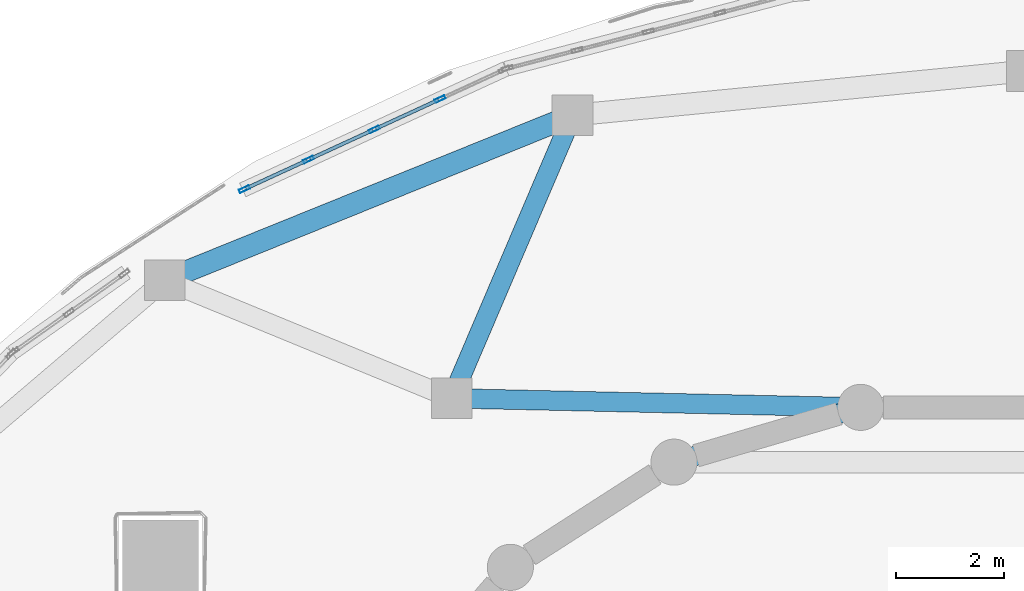
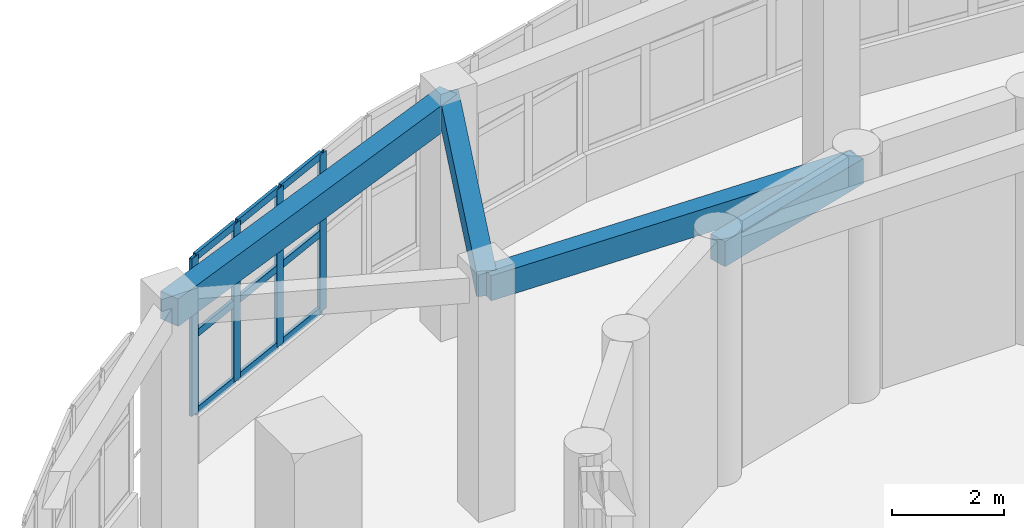
# One storey, part 45 of 96: 13 members, 4 beams, 1 element without a shape of its own.
"""IFC4 building model written with IfcOpenShell, lengths in metres."""

from ifc_helpers import new_model, si_unit, direction, frame, origin, origin_2d, place, context, subcontext, project, spatial, rectangle, hollow_rectangle, extrude, material, layer, layer_set, material_profile, profile_set, type_object, element, aggregate, save


model = new_model("IFC4")

# Units and contexts
model_context = context("Model", 3, precision=1e-05, world=origin(), true_north=direction((0.0, 1.0)))
body_context = subcontext(model_context, "Body", "Model", "MODEL_VIEW")
ifc_project = project(units=[si_unit("LENGTHUNIT", "METRE"), si_unit("AREAUNIT", "SQUARE_METRE"), si_unit("VOLUMEUNIT", "CUBIC_METRE"), si_unit("PLANEANGLEUNIT", "RADIAN"), si_unit("MASSUNIT", "GRAM", prefix="KILO")], contexts=[model_context])

# Site, building, storey
site_placement = place(None, origin())
site = spatial("IfcSite", under=ifc_project, at=site_placement, CompositionType="ELEMENT")
building_placement = place(site_placement, origin())
building = spatial("IfcBuilding", under=site, at=building_placement, Name="Pelvatis Terrace Science Centre", CompositionType="ELEMENT")
storey_placement = place(building_placement, origin())
storey = spatial("IfcBuildingStorey", under=building, at=storey_placement, Name="L00", CompositionType="ELEMENT", Elevation=0.0)

# Beams
ifc_material_1 = material(Name="Concrete C35/45", Category="concrete")
ifc_material_profile_1 = material_profile(ifc_material_1, rectangle(XDim=0.360107421875, YDim=0.550048828125, at=origin_2d()), Name="RC-BM 360x550")
ifc_profile_set_1 = profile_set([ifc_material_profile_1], Name="Concrete C35/45")
beam_type_1 = type_object("IfcBeamType", Name="BM-RC-360x550", PredefinedType="BEAM", material=ifc_profile_set_1)
beam_1_placement = place(storey_placement, frame((107.40673828125, 98.271728515625, 4.864990234375), z_axis=(-0.959499815423, -0.281709254734, 0.0), x_axis=(0.281709254734, -0.959499815423, 0.0)))
element("IfcBeam", 1, at=beam_1_placement, inside=storey, type_object=beam_type_1, Name="Beam BM-L00-2181", PredefinedType="BEAM", context=body_context, shape_type="SweptSolid", body=[
    extrude(rectangle(XDim=0.360107421875, YDim=0.550048828125, at=origin_2d()), origin(), (0.0, 0.0, 1.0), 3.586181640625),
])
beam_2_placement = place(storey_placement, frame((107.40673828125, 98.271728515625, 4.864990234375), z_axis=(-0.999756283601, 0.022076535063, 0.0), x_axis=(-0.022076535063, -0.999756283601, 0.0)))
element("IfcBeam", 2, at=beam_2_placement, inside=storey, type_object=beam_type_1, Name="Beam BM-L00-2182", PredefinedType="BEAM", context=body_context, shape_type="SweptSolid", body=[
    extrude(rectangle(XDim=0.360107421875, YDim=0.550048828125, at=origin_2d()), origin(), (0.0, 0.0, 1.0), 7.542236328125),
])
beam_3_placement = place(storey_placement, frame((102.095458984375, 103.65673828125, 4.864990234375), z_axis=(-0.392802627851, -0.919622800692, 0.0), x_axis=(0.919622800692, -0.392802627851, 0.0)))
element("IfcBeam", 3, at=beam_3_placement, inside=storey, type_object=beam_type_1, Name="Beam BM-L00-2269", PredefinedType="BEAM", context=body_context, shape_type="SweptSolid", body=[
    extrude(rectangle(XDim=0.360107421875, YDim=0.550048828125, at=origin_2d()), origin(), (0.0, 0.0, 1.0), 5.674560546875),
])
ifc_material_2 = material(Name="Concrete C35/45", Category="concrete")
ifc_material_profile_2 = material_profile(ifc_material_2, rectangle(XDim=0.39990234375, YDim=0.60009765625, at=origin_2d()), Name="RC-BM 400x600")
ifc_profile_set_2 = profile_set([ifc_material_profile_2], Name="Concrete C35/45")
beam_type_2 = type_object("IfcBeamType", Name="BM-RC-400x600", PredefinedType="BEAM", material=ifc_profile_set_2)
beam_4_placement = place(storey_placement, frame((102.095458984375, 103.65673828125, 4.840087890625), z_axis=(-0.926974722929, -0.375123796967, 0.0), x_axis=(0.375123796967, -0.926974722929, 0.0)))
element("IfcBeam", 4, at=beam_4_placement, inside=storey, type_object=beam_type_2, Name="Beam BM-L00-2268", PredefinedType="BEAM", context=body_context, shape_type="SweptSolid", body=[
    extrude(rectangle(XDim=0.39990234375, YDim=0.60009765625, at=origin_2d()), origin(), (0.0, 0.0, 1.0), 8.11181640625),
])

# Curtain wall, members
ifc_material_3 = material(Name="Bronze-anodised aluminium and laminated glass", Category="aluminium")
ifc_layer = layer(ifc_material_3, 0.199951171875)
ifc_layer_set = layer_set([ifc_layer], Name="Bronze-anodised aluminium and laminated glass")
curtain_wall_type = type_object("IfcCurtainWallType", Name="CW-RIBBON-B", PredefinedType="NOTDEFINED", material=ifc_layer_set)
curtain_wall_placement = place(storey_placement, origin())
curtain_wall = element("IfcCurtainWall", 5, at=curtain_wall_placement, inside=storey, type_object=curtain_wall_type, Name="Ribbon curtain wall CW-110 (L00)", PredefinedType="NOTDEFINED")
ifc_material_4 = material(Name="Bronze-anodised aluminium 6063-T6", Category="aluminium")
ifc_material_profile_3 = material_profile(ifc_material_4, hollow_rectangle(XDim=0.06494140625, YDim=0.199951171875, WallThickness=0.00439453125, at=origin_2d()), Name="ALU-MUL 65x200")
ifc_profile_set_3 = profile_set([ifc_material_profile_3], Name="Bronze-anodised aluminium 6063-T6")
member_type_1 = type_object("IfcMemberType", Name="CWM-65x200", PredefinedType="MULLION", material=ifc_profile_set_3)
member_1_placement = place(storey_placement, frame((99.6533203125, 103.953857421875, 1.02001953125), z_axis=(0.0, 0.0, 1.0), x_axis=(0.41805650264, -0.908421026067, 0.0)))
member_1 = element("IfcMember", 6, at=member_1_placement, type_object=member_type_1, Name="CW-110 mullion 2", PredefinedType="MULLION", context=body_context, shape_type="SweptSolid", body=[
    extrude(hollow_rectangle(XDim=0.06494140625, YDim=0.199951171875, WallThickness=0.00439453125, at=origin_2d()), origin(), (0.0, 0.0, 1.0), 3.43994140625),
])
member_2_placement = place(storey_placement, frame((98.44091796875, 103.395751953125, 1.02001953125), z_axis=(0.0, 0.0, 1.0), x_axis=(0.41805650264, -0.908421026067, 0.0)))
member_2 = element("IfcMember", 7, at=member_2_placement, type_object=member_type_1, Name="CW-110 mullion 3", PredefinedType="MULLION", context=body_context, shape_type="SweptSolid", body=[
    extrude(hollow_rectangle(XDim=0.06494140625, YDim=0.199951171875, WallThickness=0.00439453125, at=origin_2d()), origin(), (0.0, 0.0, 1.0), 3.43994140625),
])
member_3_placement = place(storey_placement, frame((97.228759765625, 102.837890625, 1.02001953125), z_axis=(0.0, 0.0, 1.0), x_axis=(0.41805650264, -0.908421026067, 0.0)))
member_3 = element("IfcMember", 8, at=member_3_placement, type_object=member_type_1, Name="CW-110 mullion 4", PredefinedType="MULLION", context=body_context, shape_type="SweptSolid", body=[
    extrude(hollow_rectangle(XDim=0.06494140625, YDim=0.199951171875, WallThickness=0.00439453125, at=origin_2d()), origin(), (0.0, 0.0, 1.0), 3.43994140625),
])
member_4_placement = place(storey_placement, frame((96.0458984375, 102.293701171875, 1.02001953125), z_axis=(0.0, 0.0, 1.0), x_axis=(0.41805650264, -0.908421026067, 0.0)))
member_4 = element("IfcMember", 9, at=member_4_placement, type_object=member_type_1, Name="CW-110 mullion 5", PredefinedType="MULLION", context=body_context, shape_type="SweptSolid", body=[
    extrude(hollow_rectangle(XDim=0.06494140625, YDim=0.199951171875, WallThickness=0.00439453125, at=origin_2d()), origin(), (0.0, 0.0, 1.0), 3.43994140625),
])
ifc_material_5 = material(Name="Bronze-anodised aluminium 6063-T6", Category="aluminium")
ifc_material_profile_4 = material_profile(ifc_material_5, hollow_rectangle(XDim=0.06494140625, YDim=0.159912109375, WallThickness=0.00390625, at=origin_2d()), Name="ALU-TRN 65x160")
ifc_profile_set_4 = profile_set([ifc_material_profile_4], Name="Bronze-anodised aluminium 6063-T6")
member_type_2 = type_object("IfcMemberType", Name="CWT-65x160", PredefinedType="USERDEFINED", material=ifc_profile_set_4)
member_5_placement = place(storey_placement, frame((99.623779296875, 103.940185546875, 1.052490234375), z_axis=(-0.908420351401, -0.418057968659, 0.0), x_axis=(0.418057968659, -0.908420351401, 0.0)))
member_5 = element("IfcMember", 10, at=member_5_placement, type_object=member_type_2, Name="CW-110 transom 2.1", ObjectType="TRANSOM", PredefinedType="USERDEFINED", context=body_context, shape_type="SweptSolid", body=[
    extrude(hollow_rectangle(XDim=0.06494140625, YDim=0.159912109375, WallThickness=0.00390625, at=origin_2d()), origin(), (0.0, 0.0, 1.0), 1.26953125),
])
member_6_placement = place(storey_placement, frame((99.623779296875, 103.940185546875, 2.739990234375), z_axis=(-0.908420351401, -0.418057968659, 0.0), x_axis=(0.418057968659, -0.908420351401, 0.0)))
member_6 = element("IfcMember", 11, at=member_6_placement, type_object=member_type_2, Name="CW-110 transom 2.2", ObjectType="TRANSOM", PredefinedType="USERDEFINED", context=body_context, shape_type="SweptSolid", body=[
    extrude(hollow_rectangle(XDim=0.06494140625, YDim=0.159912109375, WallThickness=0.00390625, at=origin_2d()), origin(), (0.0, 0.0, 1.0), 1.26953125),
])
member_7_placement = place(storey_placement, frame((99.623779296875, 103.940185546875, 4.427490234375), z_axis=(-0.908420351401, -0.418057968659, 0.0), x_axis=(0.418057968659, -0.908420351401, 0.0)))
member_7 = element("IfcMember", 12, at=member_7_placement, type_object=member_type_2, Name="CW-110 transom 2.3", ObjectType="TRANSOM", PredefinedType="USERDEFINED", context=body_context, shape_type="SweptSolid", body=[
    extrude(hollow_rectangle(XDim=0.06494140625, YDim=0.159912109375, WallThickness=0.00390625, at=origin_2d()), origin(), (0.0, 0.0, 1.0), 1.26953125),
])
member_8_placement = place(storey_placement, frame((98.411376953125, 103.38232421875, 1.052490234375), z_axis=(-0.908420351401, -0.418057968659, 0.0), x_axis=(0.418057968659, -0.908420351401, 0.0)))
member_8 = element("IfcMember", 13, at=member_8_placement, type_object=member_type_2, Name="CW-110 transom 3.1", ObjectType="TRANSOM", PredefinedType="USERDEFINED", context=body_context, shape_type="SweptSolid", body=[
    extrude(hollow_rectangle(XDim=0.06494140625, YDim=0.159912109375, WallThickness=0.00390625, at=origin_2d()), origin(), (0.0, 0.0, 1.0), 1.26953125),
])
member_9_placement = place(storey_placement, frame((98.411376953125, 103.38232421875, 2.739990234375), z_axis=(-0.908420351401, -0.418057968659, 0.0), x_axis=(0.418057968659, -0.908420351401, 0.0)))
member_9 = element("IfcMember", 14, at=member_9_placement, type_object=member_type_2, Name="CW-110 transom 3.2", ObjectType="TRANSOM", PredefinedType="USERDEFINED", context=body_context, shape_type="SweptSolid", body=[
    extrude(hollow_rectangle(XDim=0.06494140625, YDim=0.159912109375, WallThickness=0.00390625, at=origin_2d()), origin(), (0.0, 0.0, 1.0), 1.26953125),
])
member_10_placement = place(storey_placement, frame((98.411376953125, 103.38232421875, 4.427490234375), z_axis=(-0.908420351401, -0.418057968659, 0.0), x_axis=(0.418057968659, -0.908420351401, 0.0)))
member_10 = element("IfcMember", 15, at=member_10_placement, type_object=member_type_2, Name="CW-110 transom 3.3", ObjectType="TRANSOM", PredefinedType="USERDEFINED", context=body_context, shape_type="SweptSolid", body=[
    extrude(hollow_rectangle(XDim=0.06494140625, YDim=0.159912109375, WallThickness=0.00390625, at=origin_2d()), origin(), (0.0, 0.0, 1.0), 1.26953125),
])
member_11_placement = place(storey_placement, frame((97.19921875, 102.82421875, 1.052490234375), z_axis=(-0.908443990463, -0.418006598262, 0.0), x_axis=(0.418006598262, -0.908443990463, 0.0)))
member_11 = element("IfcMember", 16, at=member_11_placement, type_object=member_type_2, Name="CW-110 transom 4.1", ObjectType="TRANSOM", PredefinedType="USERDEFINED", context=body_context, shape_type="SweptSolid", body=[
    extrude(hollow_rectangle(XDim=0.06494140625, YDim=0.159912109375, WallThickness=0.00390625, at=origin_2d()), origin(), (0.0, 0.0, 1.0), 1.237060546875),
])
member_12_placement = place(storey_placement, frame((97.19921875, 102.82421875, 2.739990234375), z_axis=(-0.908443990463, -0.418006598262, 0.0), x_axis=(0.418006598262, -0.908443990463, 0.0)))
member_12 = element("IfcMember", 17, at=member_12_placement, type_object=member_type_2, Name="CW-110 transom 4.2", ObjectType="TRANSOM", PredefinedType="USERDEFINED", context=body_context, shape_type="SweptSolid", body=[
    extrude(hollow_rectangle(XDim=0.06494140625, YDim=0.159912109375, WallThickness=0.00390625, at=origin_2d()), origin(), (0.0, 0.0, 1.0), 1.237060546875),
])
member_13_placement = place(storey_placement, frame((97.19921875, 102.82421875, 4.427490234375), z_axis=(-0.908443990463, -0.418006598262, 0.0), x_axis=(0.418006598262, -0.908443990463, 0.0)))
member_13 = element("IfcMember", 18, at=member_13_placement, type_object=member_type_2, Name="CW-110 transom 4.3", ObjectType="TRANSOM", PredefinedType="USERDEFINED", context=body_context, shape_type="SweptSolid", body=[
    extrude(hollow_rectangle(XDim=0.06494140625, YDim=0.159912109375, WallThickness=0.00390625, at=origin_2d()), origin(), (0.0, 0.0, 1.0), 1.237060546875),
])
aggregate(curtain_wall, [member_1, member_2, member_3, member_4, member_5, member_6, member_7, member_8, member_9, member_10, member_11, member_12, member_13])

save(model, "model.ifc")
